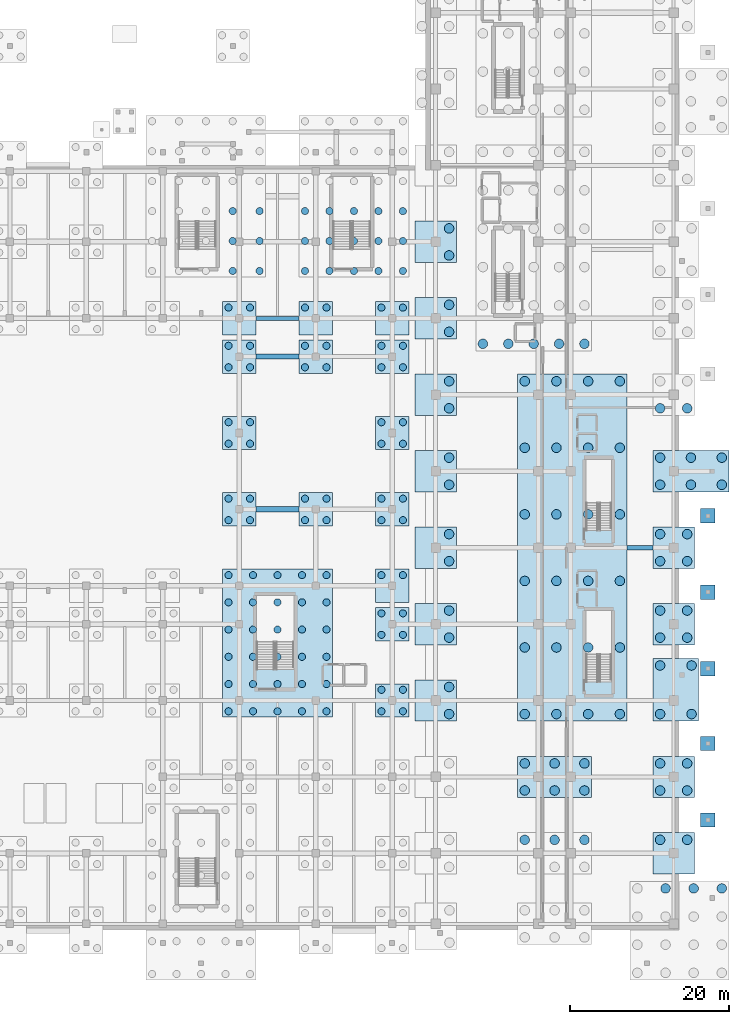
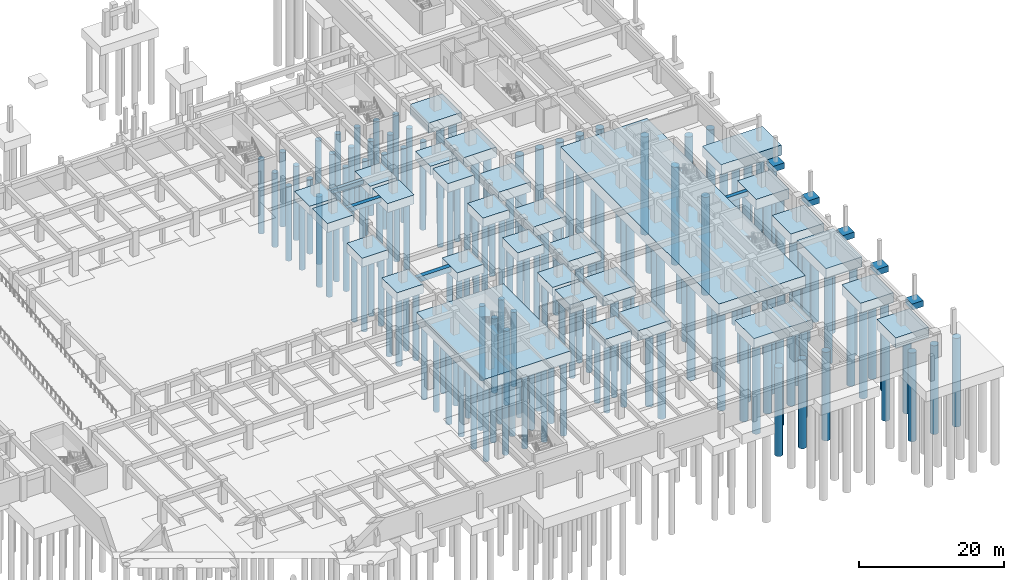
# One storey, part 4 of 39: 180 piles, 39 footings.
"""IFC4 building model written with IfcOpenShell, lengths in metres."""

from ifc_helpers import new_model, si_unit, direction, frame, origin, origin_2d, place, context, subcontext, project, spatial, rectangle, circle, extrude, material, material_profile, profile_set, type_object, element, save


model = new_model("IFC4")

# Units and contexts
model_context = context("Model", 3, precision=1e-05, world=origin(), true_north=direction((0.0, 1.0)))
body_context = subcontext(model_context, "Body", "Model", "MODEL_VIEW")
ifc_project = project(units=[si_unit("LENGTHUNIT", "METRE"), si_unit("AREAUNIT", "SQUARE_METRE"), si_unit("VOLUMEUNIT", "CUBIC_METRE"), si_unit("PLANEANGLEUNIT", "RADIAN"), si_unit("MASSUNIT", "GRAM", prefix="KILO")], contexts=[model_context])

# Site, building, storey
site_placement = place(None, origin())
site = spatial("IfcSite", under=ifc_project, at=site_placement, CompositionType="ELEMENT")
building_placement = place(site_placement, origin())
building = spatial("IfcBuilding", under=site, at=building_placement, Name="Nakhvara Creek Congress Hotel", CompositionType="ELEMENT")
storey_placement = place(building_placement, frame((0.0, 0.0, -8.39990234375)))
storey = spatial("IfcBuildingStorey", under=building, at=storey_placement, Name="B2", CompositionType="ELEMENT", Elevation=-8.39990234375)

# Footings
ifc_material = material(Name="Concrete C40/50", Category="concrete")
footing_type_1 = type_object("IfcFootingType", Name="FT-GB-500X700", PredefinedType="FOOTING_BEAM", material=ifc_material)
footing_1_placement = place(storey_placement, frame((129.60009765625, 76.800048828125, -0.7001953125), z_axis=(0.0, 0.0, 1.0), x_axis=(1.0, 0.0, 0.0)))
element("IfcFooting", 1, at=footing_1_placement, inside=storey, type_object=footing_type_1, Name="Ground Beam GB-046", PredefinedType="FOOTING_BEAM", context=body_context, shape_type="SweptSolid", body=[
    extrude(rectangle(XDim=5.39990234375, YDim=0.5, at=origin_2d()), origin(), (0.0, 0.0, 1.0), 0.699951171875),
])
footing_type_2 = type_object("IfcFootingType", Name="FT-GB-600X800", PredefinedType="FOOTING_BEAM", material=ifc_material)
footing_2_placement = place(storey_placement, frame((175.125, 48.0, -0.80029296875), z_axis=(0.0, 0.0, 1.0), x_axis=(1.0, 0.0, 0.0)))
element("IfcFooting", 2, at=footing_2_placement, inside=storey, type_object=footing_type_2, Name="Ground Beam GB-003", PredefinedType="FOOTING_BEAM", context=body_context, shape_type="SweptSolid", body=[
    extrude(rectangle(XDim=3.25, YDim=0.60009765625, at=origin_2d()), origin(), (0.0, 0.0, 1.0), 0.800048828125),
])
footing_3_placement = place(storey_placement, frame((129.60009765625, 72.0, -0.80029296875), z_axis=(0.0, 0.0, 1.0), x_axis=(1.0, 0.0, 0.0)))
element("IfcFooting", 3, at=footing_3_placement, inside=storey, type_object=footing_type_2, Name="Ground Beam GB-045", PredefinedType="FOOTING_BEAM", context=body_context, shape_type="SweptSolid", body=[
    extrude(rectangle(XDim=5.39990234375, YDim=0.60009765625, at=origin_2d()), origin(), (0.0, 0.0, 1.0), 0.800048828125),
])
footing_type_3 = type_object("IfcFootingType", Name="FT-GB-700X900", PredefinedType="FOOTING_BEAM", material=ifc_material)
footing_4_placement = place(storey_placement, frame((129.60009765625, 52.800048828125, -0.900146484375), z_axis=(0.0, 0.0, 1.0), x_axis=(1.0, 0.0, 0.0)))
element("IfcFooting", 4, at=footing_4_placement, inside=storey, type_object=footing_type_3, Name="Ground Beam GB-044", PredefinedType="FOOTING_BEAM", context=body_context, shape_type="SweptSolid", body=[
    extrude(rectangle(XDim=5.39990234375, YDim=0.699951171875, at=origin_2d()), origin(), (0.0, 0.0, 1.0), 0.89990234375),
])
footing_type_4 = type_object("IfcFootingType", Name="FT-MCAP-1375X4360X200", PredefinedType="PILE_CAP", material=ifc_material)
footing_5_placement = place(storey_placement, frame((166.625, 48.0, -2.0), z_axis=(0.0, 0.0, 1.0), x_axis=(1.0, 0.0, 0.0)))
element("IfcFooting", 5, at=footing_5_placement, inside=storey, type_object=footing_type_4, Name="Pile Cap 003", PredefinedType="PILE_CAP", context=body_context, shape_type="SweptSolid", body=[
    extrude(rectangle(XDim=13.75, YDim=43.60009765625, at=origin_2d()), origin(), (0.0, 0.0, 1.0), 2.0),
])
footing_type_5 = type_object("IfcFootingType", Name="FT-MCAP-1380X1860X185", PredefinedType="PILE_CAP", material=ifc_material)
footing_6_placement = place(storey_placement, frame((129.60009765625, 36.0, -1.85009765625), z_axis=(0.0, 0.0, 1.0), x_axis=(1.0, 0.0, 0.0)))
element("IfcFooting", 6, at=footing_6_placement, inside=storey, type_object=footing_type_5, Name="Pile Cap 005", PredefinedType="PILE_CAP", context=body_context, shape_type="SweptSolid", body=[
    extrude(rectangle(XDim=13.800048828125, YDim=18.60009765625, at=origin_2d()), origin(), (0.0, 0.0, 1.0), 1.85009765625),
])
footing_type_6 = type_object("IfcFootingType", Name="FT-MCAP-420X420X150", PredefinedType="PILE_CAP", material=ifc_material)
for number, where, z_axis, x_axis, name in (
    (7, (124.800048828125, 52.800048828125, -1.5), (0.0, 0.0, 1.0), (1.0, 0.0, 0.0), "Pile Cap 080"),
    (8, (124.800048828125, 62.39990234375, -1.5), (0.0, 0.0, 1.0), (1.0, 0.0, 0.0), "Pile Cap 081"),
    (9, (124.800048828125, 72.0, -1.5), (0.0, 0.0, 1.0), (1.0, 0.0, 0.0), "Pile Cap 082"),
    (10, (124.800048828125, 76.800048828125, -1.5), (0.0, 0.0, 1.0), (1.0, 0.0, 0.0), "Pile Cap 083"),
    (11, (134.39990234375, 52.800048828125, -1.5), (0.0, 0.0, 1.0), (1.0, 0.0, 0.0), "Pile Cap 087"),
    (12, (134.39990234375, 72.0, -1.5), (0.0, 0.0, 1.0), (1.0, 0.0, 0.0), "Pile Cap 088"),
    (13, (134.39990234375, 76.800048828125, -1.5), (0.0, 0.0, 1.0), (1.0, 0.0, 0.0), "Pile Cap 089"),
    (14, (144.0, 28.800048828125, -1.5), (0.0, 0.0, 1.0), (1.0, 0.0, 0.0), "Pile Cap 093"),
    (15, (144.0, 38.39990234375, -1.5), (0.0, 0.0, 1.0), (1.0, 0.0, 0.0), "Pile Cap 094"),
    (16, (144.0, 43.199951171875, -1.5), (0.0, 0.0, 1.0), (1.0, 0.0, 0.0), "Pile Cap 095"),
    (17, (144.0, 52.800048828125, -1.5), (0.0, 0.0, 1.0), (1.0, 0.0, 0.0), "Pile Cap 096"),
    (18, (144.0, 62.39990234375, -1.5), (0.0, 0.0, 1.0), (1.0, 0.0, 0.0), "Pile Cap 097"),
    (19, (144.0, 72.0, -1.5), (0.0, 0.0, 1.0), (1.0, 0.0, 0.0), "Pile Cap 098"),
    (20, (144.0, 76.800048828125, -1.5), (0.0, 0.0, 1.0), (1.0, 0.0, 0.0), "Pile Cap 099"),
):
    element("IfcFooting", number, at=place(storey_placement, frame(where, z_axis=z_axis, x_axis=x_axis)), inside=storey, type_object=footing_type_6, Name=name, PredefinedType="PILE_CAP", context=body_context, shape_type="SweptSolid", body=[
        extrude(rectangle(XDim=4.199951171875, YDim=4.199951171875, at=origin_2d()), origin(), (0.0, 0.0, 1.0), 1.5),
    ])
footing_type_7 = type_object("IfcFootingType", Name="FT-MCAP-520X520X170", PredefinedType="PILE_CAP", material=ifc_material)
for number, where, z_axis, x_axis, name in (
    (21, (149.449951171875, 28.800048828125, -1.7001953125), (0.0, 0.0, 1.0), (1.0, 0.0, 0.0), "Pile Cap 103"),
    (22, (149.449951171875, 38.39990234375, -1.7001953125), (0.0, 0.0, 1.0), (1.0, 0.0, 0.0), "Pile Cap 104"),
    (23, (149.449951171875, 48.0, -1.7001953125), (0.0, 0.0, 1.0), (1.0, 0.0, 0.0), "Pile Cap 105"),
    (24, (149.449951171875, 57.60009765625, -1.7001953125), (0.0, 0.0, 1.0), (1.0, 0.0, 0.0), "Pile Cap 106"),
    (25, (149.449951171875, 67.199951171875, -1.7001953125), (0.0, 0.0, 1.0), (1.0, 0.0, 0.0), "Pile Cap 107"),
    (26, (149.449951171875, 76.800048828125, -1.7001953125), (0.0, 0.0, 1.0), (1.0, 0.0, 0.0), "Pile Cap 108"),
    (27, (149.449951171875, 86.39990234375, -1.7001953125), (0.0, 0.0, 1.0), (1.0, 0.0, 0.0), "Pile Cap 109"),
    (28, (179.35009765625, 9.60009765625, -1.7001953125), (0.0, 0.0, 1.0), (1.0, 0.0, 0.0), "Pile Cap 118"),
    (29, (179.35009765625, 19.199951171875, -1.7001953125), (0.0, 0.0, 1.0), (1.0, 0.0, 0.0), "Pile Cap 119"),
    (30, (179.35009765625, 38.39990234375, -1.7001953125), (0.0, 0.0, 1.0), (1.0, 0.0, 0.0), "Pile Cap 121"),
    (31, (179.35009765625, 48.0, -1.7001953125), (0.0, 0.0, 1.0), (1.0, 0.0, 0.0), "Pile Cap 122"),
):
    element("IfcFooting", number, at=place(storey_placement, frame(where, z_axis=z_axis, x_axis=x_axis)), inside=storey, type_object=footing_type_7, Name=name, PredefinedType="PILE_CAP", context=body_context, shape_type="SweptSolid", body=[
        extrude(rectangle(XDim=5.199951171875, YDim=5.199951171875, at=origin_2d()), origin(), (0.0, 0.0, 1.0), 1.699951171875),
    ])
footing_type_8 = type_object("IfcFootingType", Name="FT-MCAP-575X790X170", PredefinedType="PILE_CAP", material=ifc_material)
footing_7_placement = place(storey_placement, frame((179.625, 30.14990234375, -1.7001953125), z_axis=(0.0, 0.0, 1.0), x_axis=(1.0, 0.0, 0.0)))
element("IfcFooting", 32, at=footing_7_placement, inside=storey, type_object=footing_type_8, Name="Pile Cap 120", PredefinedType="PILE_CAP", context=body_context, shape_type="SweptSolid", body=[
    extrude(rectangle(XDim=5.75, YDim=7.89990234375, at=origin_2d()), origin(), (0.0, 0.0, 1.0), 1.699951171875),
])
footing_type_9 = type_object("IfcFootingType", Name="FT-MCAP-930X520X170", PredefinedType="PILE_CAP", material=ifc_material)
footing_8_placement = place(storey_placement, frame((164.39990234375, 19.199951171875, -1.7001953125), z_axis=(0.0, 0.0, 1.0), x_axis=(1.0, 0.0, 0.0)))
element("IfcFooting", 33, at=footing_8_placement, inside=storey, type_object=footing_type_9, Name="Pile Cap 116", PredefinedType="PILE_CAP", context=body_context, shape_type="SweptSolid", body=[
    extrude(rectangle(XDim=9.300048828125, YDim=5.199951171875, at=origin_2d()), origin(), (0.0, 0.0, 1.0), 1.699951171875),
])
footing_type_10 = type_object("IfcFootingType", Name="FT-MCAP-955X520X170", PredefinedType="PILE_CAP", material=ifc_material)
footing_9_placement = place(storey_placement, frame((181.52490234375, 57.60009765625, -1.7001953125), z_axis=(0.0, 0.0, 1.0), x_axis=(1.0, 0.0, 0.0)))
element("IfcFooting", 34, at=footing_9_placement, inside=storey, type_object=footing_type_10, Name="Pile Cap 123", PredefinedType="PILE_CAP", context=body_context, shape_type="SweptSolid", body=[
    extrude(rectangle(XDim=9.550048828125, YDim=5.199951171875, at=origin_2d()), origin(), (0.0, 0.0, 1.0), 1.699951171875),
])
footing_type_11 = type_object("IfcFootingType", Name="FT-PAD-260X260X100", PredefinedType="PAD_FOOTING", material=ifc_material)
for number, where, z_axis, x_axis, name in (
    (35, (183.64990234375, 13.800048828125, -1.0), (0.0, 0.0, 1.0), (1.0, 0.0, 0.0), "East Boulevard Apron Pad Footing 01"),
    (36, (183.64990234375, 23.39990234375, -1.0), (0.0, 0.0, 1.0), (1.0, 0.0, 0.0), "East Boulevard Apron Pad Footing 02"),
    (37, (183.64990234375, 32.800048828125, -1.0), (0.0, 0.0, 1.0), (1.0, 0.0, 0.0), "East Boulevard Apron Pad Footing 03"),
    (38, (183.64990234375, 42.39990234375, -1.0), (0.0, 0.0, 1.0), (1.0, 0.0, 0.0), "East Boulevard Apron Pad Footing 04"),
    (39, (183.64990234375, 52.0, -1.0), (0.0, 0.0, 1.0), (1.0, 0.0, 0.0), "East Boulevard Apron Pad Footing 05"),
):
    element("IfcFooting", number, at=place(storey_placement, frame(where, z_axis=z_axis, x_axis=x_axis)), inside=storey, type_object=footing_type_11, Name=name, PredefinedType="PAD_FOOTING", context=body_context, shape_type="SweptSolid", body=[
        extrude(rectangle(XDim=1.800048828125, YDim=1.800048828125, at=origin_2d()), origin(), (0.0, 0.0, 1.0), 1.0),
    ])

# Piles
ifc_material_profile_1 = material_profile(ifc_material, circle(Radius=0.60009765625, at=origin_2d()), Name="BORED PILE D1200", Category="LoadBearing")
ifc_profile_set_1 = profile_set([ifc_material_profile_1], Name="Concrete C40/50")
pile_type_1 = type_object("IfcPileType", Name="PILE-BORED-1200", PredefinedType="BORED", material=ifc_profile_set_1)
for number, where, z_axis, x_axis, name in (
    (40, (155.39990234375, 73.60009765625, -1.900146484375), (0.0, 0.0, -1.0), (1.0, 0.0, 0.0), "Bored Pile P-0001"),
    (41, (158.587890625, 73.60009765625, -1.900146484375), (0.0, 0.0, -1.0), (1.0, 0.0, 0.0), "Bored Pile P-0007"),
    (42, (161.77490234375, 73.60009765625, -1.900146484375), (0.0, 0.0, -1.0), (1.0, 0.0, 0.0), "Bored Pile P-0013"),
    (43, (164.962890625, 73.60009765625, -1.900146484375), (0.0, 0.0, -1.0), (1.0, 0.0, 0.0), "Bored Pile P-0019"),
    (44, (168.14990234375, 73.60009765625, -1.900146484375), (0.0, 0.0, -1.0), (1.0, 0.0, 0.0), "Bored Pile P-0025"),
    (45, (160.64990234375, 27.10009765625, -1.900146484375), (0.0, 0.0, -1.0), (1.0, 0.0, 0.0), "Bored Pile P-0061"),
    (46, (160.64990234375, 35.4599609375, -1.900146484375), (0.0, 0.0, -1.0), (1.0, 0.0, 0.0), "Bored Pile P-0062"),
    (47, (160.64990234375, 43.820068359375, -1.900146484375), (0.0, 0.0, -1.0), (1.0, 0.0, 0.0), "Bored Pile P-0063"),
    (48, (160.64990234375, 52.179931640625, -1.900146484375), (0.0, 0.0, -1.0), (1.0, 0.0, 0.0), "Bored Pile P-0064"),
    (49, (160.64990234375, 60.5400390625, -1.900146484375), (0.0, 0.0, -1.0), (1.0, 0.0, 0.0), "Bored Pile P-0065"),
    (50, (160.64990234375, 68.89990234375, -1.900146484375), (0.0, 0.0, -1.0), (1.0, 0.0, 0.0), "Bored Pile P-0066"),
    (51, (164.633056640625, 27.10009765625, -1.900146484375), (0.0, 0.0, -1.0), (1.0, 0.0, 0.0), "Bored Pile P-0067"),
    (52, (164.633056640625, 35.4599609375, -1.900146484375), (0.0, 0.0, -1.0), (1.0, 0.0, 0.0), "Bored Pile P-0068"),
    (53, (164.633056640625, 43.820068359375, -1.900146484375), (0.0, 0.0, -1.0), (1.0, 0.0, 0.0), "Bored Pile P-0069"),
    (54, (164.633056640625, 52.179931640625, -1.900146484375), (0.0, 0.0, -1.0), (1.0, 0.0, 0.0), "Bored Pile P-0070"),
    (55, (164.633056640625, 60.5400390625, -1.900146484375), (0.0, 0.0, -1.0), (1.0, 0.0, 0.0), "Bored Pile P-0071"),
    (56, (164.633056640625, 68.89990234375, -1.900146484375), (0.0, 0.0, -1.0), (1.0, 0.0, 0.0), "Bored Pile P-0072"),
    (57, (168.616943359375, 27.10009765625, -1.900146484375), (0.0, 0.0, -1.0), (1.0, 0.0, 0.0), "Bored Pile P-0073"),
    (58, (168.616943359375, 35.4599609375, -1.900146484375), (0.0, 0.0, -1.0), (1.0, 0.0, 0.0), "Bored Pile P-0074"),
    (59, (168.616943359375, 43.820068359375, -1.900146484375), (0.0, 0.0, -1.0), (1.0, 0.0, 0.0), "Bored Pile P-0075"),
    (60, (168.616943359375, 52.179931640625, -1.900146484375), (0.0, 0.0, -1.0), (1.0, 0.0, 0.0), "Bored Pile P-0076"),
    (61, (168.616943359375, 60.5400390625, -1.900146484375), (0.0, 0.0, -1.0), (1.0, 0.0, 0.0), "Bored Pile P-0077"),
    (62, (168.616943359375, 68.89990234375, -1.900146484375), (0.0, 0.0, -1.0), (1.0, 0.0, 0.0), "Bored Pile P-0078"),
    (63, (172.60009765625, 27.10009765625, -1.900146484375), (0.0, 0.0, -1.0), (1.0, 0.0, 0.0), "Bored Pile P-0079"),
    (64, (172.60009765625, 35.4599609375, -1.900146484375), (0.0, 0.0, -1.0), (1.0, 0.0, 0.0), "Bored Pile P-0080"),
    (65, (172.60009765625, 43.820068359375, -1.900146484375), (0.0, 0.0, -1.0), (1.0, 0.0, 0.0), "Bored Pile P-0081"),
    (66, (172.60009765625, 52.179931640625, -1.900146484375), (0.0, 0.0, -1.0), (1.0, 0.0, 0.0), "Bored Pile P-0082"),
    (67, (172.60009765625, 60.5400390625, -1.900146484375), (0.0, 0.0, -1.0), (1.0, 0.0, 0.0), "Bored Pile P-0083"),
    (68, (172.60009765625, 68.89990234375, -1.900146484375), (0.0, 0.0, -1.0), (1.0, 0.0, 0.0), "Bored Pile P-0084"),
):
    element("IfcPile", number, at=place(storey_placement, frame(where, z_axis=z_axis, x_axis=x_axis)), inside=storey, type_object=pile_type_1, Name=name, PredefinedType="BORED", context=body_context, shape_type="SweptSolid", body=[
        extrude(circle(Radius=0.60009765625, at=origin_2d()), origin(), (0.0, 0.0, 1.0), 16.5),
    ])
for number, where, z_axis, x_axis, name in (
    (69, (151.14990234375, 27.10009765625, -1.60009765625), (0.0, 0.0, -1.0), (1.0, 0.0, 0.0), "Bored Pile P-0671"),
    (70, (151.14990234375, 30.5, -1.60009765625), (0.0, 0.0, -1.0), (1.0, 0.0, 0.0), "Bored Pile P-0672"),
    (71, (151.14990234375, 36.699951171875, -1.60009765625), (0.0, 0.0, -1.0), (1.0, 0.0, 0.0), "Bored Pile P-0673"),
    (72, (151.14990234375, 40.10009765625, -1.60009765625), (0.0, 0.0, -1.0), (1.0, 0.0, 0.0), "Bored Pile P-0674"),
    (73, (151.14990234375, 46.300048828125, -1.60009765625), (0.0, 0.0, -1.0), (1.0, 0.0, 0.0), "Bored Pile P-0675"),
    (74, (151.14990234375, 49.699951171875, -1.60009765625), (0.0, 0.0, -1.0), (1.0, 0.0, 0.0), "Bored Pile P-0676"),
    (75, (151.14990234375, 55.89990234375, -1.60009765625), (0.0, 0.0, -1.0), (1.0, 0.0, 0.0), "Bored Pile P-0677"),
    (76, (151.14990234375, 59.300048828125, -1.60009765625), (0.0, 0.0, -1.0), (1.0, 0.0, 0.0), "Bored Pile P-0678"),
    (77, (151.14990234375, 65.5, -1.60009765625), (0.0, 0.0, -1.0), (1.0, 0.0, 0.0), "Bored Pile P-0679"),
    (78, (151.14990234375, 68.89990234375, -1.60009765625), (0.0, 0.0, -1.0), (1.0, 0.0, 0.0), "Bored Pile P-0680"),
    (79, (151.14990234375, 75.10009765625, -1.60009765625), (0.0, 0.0, -1.0), (1.0, 0.0, 0.0), "Bored Pile P-0681"),
    (80, (151.14990234375, 78.5, -1.60009765625), (0.0, 0.0, -1.0), (1.0, 0.0, 0.0), "Bored Pile P-0682"),
    (81, (151.14990234375, 84.699951171875, -1.60009765625), (0.0, 0.0, -1.0), (1.0, 0.0, 0.0), "Bored Pile P-0683"),
    (82, (151.14990234375, 88.10009765625, -1.60009765625), (0.0, 0.0, -1.0), (1.0, 0.0, 0.0), "Bored Pile P-0684"),
    (83, (160.64990234375, 11.300048828125, -1.60009765625), (0.0, 0.0, -1.0), (1.0, 0.0, 0.0), "Bored Pile P-0706"),
    (84, (164.39990234375, 11.300048828125, -1.60009765625), (0.0, 0.0, -1.0), (1.0, 0.0, 0.0), "Bored Pile P-0708"),
    (85, (168.14990234375, 11.300048828125, -1.60009765625), (0.0, 0.0, -1.0), (1.0, 0.0, 0.0), "Bored Pile P-0710"),
    (86, (160.64990234375, 17.5, -1.60009765625), (0.0, 0.0, -1.0), (1.0, 0.0, 0.0), "Bored Pile P-0711"),
    (87, (160.64990234375, 20.89990234375, -1.60009765625), (0.0, 0.0, -1.0), (1.0, 0.0, 0.0), "Bored Pile P-0712"),
    (88, (164.39990234375, 17.5, -1.60009765625), (0.0, 0.0, -1.0), (1.0, 0.0, 0.0), "Bored Pile P-0713"),
    (89, (164.39990234375, 20.89990234375, -1.60009765625), (0.0, 0.0, -1.0), (1.0, 0.0, 0.0), "Bored Pile P-0714"),
    (90, (168.14990234375, 17.5, -1.60009765625), (0.0, 0.0, -1.0), (1.0, 0.0, 0.0), "Bored Pile P-0715"),
    (91, (168.14990234375, 20.89990234375, -1.60009765625), (0.0, 0.0, -1.0), (1.0, 0.0, 0.0), "Bored Pile P-0716"),
    (92, (178.3330078125, 5.199951171875, -1.60009765625), (0.0, 0.0, -1.0), (1.0, 0.0, 0.0), "Bored Pile P-0724"),
    (93, (181.866943359375, 5.199951171875, -1.60009765625), (0.0, 0.0, -1.0), (1.0, 0.0, 0.0), "Bored Pile P-0728"),
    (94, (185.39990234375, 5.199951171875, -1.60009765625), (0.0, 0.0, -1.0), (1.0, 0.0, 0.0), "Bored Pile P-0732"),
    (95, (177.64990234375, 11.300048828125, -1.60009765625), (0.0, 0.0, -1.0), (1.0, 0.0, 0.0), "Bored Pile P-0733"),
    (96, (181.050048828125, 11.300048828125, -1.60009765625), (0.0, 0.0, -1.0), (1.0, 0.0, 0.0), "Bored Pile P-0734"),
    (97, (177.64990234375, 17.5, -1.60009765625), (0.0, 0.0, -1.0), (1.0, 0.0, 0.0), "Bored Pile P-0735"),
    (98, (177.64990234375, 20.89990234375, -1.60009765625), (0.0, 0.0, -1.0), (1.0, 0.0, 0.0), "Bored Pile P-0736"),
    (99, (181.050048828125, 17.5, -1.60009765625), (0.0, 0.0, -1.0), (1.0, 0.0, 0.0), "Bored Pile P-0737"),
    (100, (181.050048828125, 20.89990234375, -1.60009765625), (0.0, 0.0, -1.0), (1.0, 0.0, 0.0), "Bored Pile P-0738"),
    (101, (177.64990234375, 27.10009765625, -1.60009765625), (0.0, 0.0, -1.0), (1.0, 0.0, 0.0), "Bored Pile P-0739"),
    (102, (177.64990234375, 33.199951171875, -1.60009765625), (0.0, 0.0, -1.0), (1.0, 0.0, 0.0), "Bored Pile P-0740"),
    (103, (181.60009765625, 27.10009765625, -1.60009765625), (0.0, 0.0, -1.0), (1.0, 0.0, 0.0), "Bored Pile P-0741"),
    (104, (181.60009765625, 33.199951171875, -1.60009765625), (0.0, 0.0, -1.0), (1.0, 0.0, 0.0), "Bored Pile P-0742"),
    (105, (177.64990234375, 36.699951171875, -1.60009765625), (0.0, 0.0, -1.0), (1.0, 0.0, 0.0), "Bored Pile P-0743"),
    (106, (177.64990234375, 40.10009765625, -1.60009765625), (0.0, 0.0, -1.0), (1.0, 0.0, 0.0), "Bored Pile P-0744"),
    (107, (181.050048828125, 36.699951171875, -1.60009765625), (0.0, 0.0, -1.0), (1.0, 0.0, 0.0), "Bored Pile P-0745"),
    (108, (181.050048828125, 40.10009765625, -1.60009765625), (0.0, 0.0, -1.0), (1.0, 0.0, 0.0), "Bored Pile P-0746"),
    (109, (177.64990234375, 46.300048828125, -1.60009765625), (0.0, 0.0, -1.0), (1.0, 0.0, 0.0), "Bored Pile P-0747"),
    (110, (177.64990234375, 49.699951171875, -1.60009765625), (0.0, 0.0, -1.0), (1.0, 0.0, 0.0), "Bored Pile P-0748"),
    (111, (181.050048828125, 46.300048828125, -1.60009765625), (0.0, 0.0, -1.0), (1.0, 0.0, 0.0), "Bored Pile P-0749"),
    (112, (181.050048828125, 49.699951171875, -1.60009765625), (0.0, 0.0, -1.0), (1.0, 0.0, 0.0), "Bored Pile P-0750"),
    (113, (177.64990234375, 55.89990234375, -1.60009765625), (0.0, 0.0, -1.0), (1.0, 0.0, 0.0), "Bored Pile P-0751"),
    (114, (177.64990234375, 59.300048828125, -1.60009765625), (0.0, 0.0, -1.0), (1.0, 0.0, 0.0), "Bored Pile P-0752"),
    (115, (181.52490234375, 55.89990234375, -1.60009765625), (0.0, 0.0, -1.0), (1.0, 0.0, 0.0), "Bored Pile P-0753"),
    (116, (181.52490234375, 59.300048828125, -1.60009765625), (0.0, 0.0, -1.0), (1.0, 0.0, 0.0), "Bored Pile P-0754"),
    (117, (185.39990234375, 55.89990234375, -1.60009765625), (0.0, 0.0, -1.0), (1.0, 0.0, 0.0), "Bored Pile P-0755"),
    (118, (185.39990234375, 59.300048828125, -1.60009765625), (0.0, 0.0, -1.0), (1.0, 0.0, 0.0), "Bored Pile P-0756"),
    (119, (177.64990234375, 65.5, -1.60009765625), (0.0, 0.0, -1.0), (1.0, 0.0, 0.0), "Bored Pile P-0757"),
    (120, (181.050048828125, 65.5, -1.60009765625), (0.0, 0.0, -1.0), (1.0, 0.0, 0.0), "Bored Pile P-0759"),
):
    element("IfcPile", number, at=place(storey_placement, frame(where, z_axis=z_axis, x_axis=x_axis)), inside=storey, type_object=pile_type_1, Name=name, PredefinedType="BORED", context=body_context, shape_type="SweptSolid", body=[
        extrude(circle(Radius=0.60009765625, at=origin_2d()), origin(), (0.0, 0.0, 1.0), 14.89990234375),
    ])
ifc_material_profile_2 = material_profile(ifc_material, circle(Radius=0.449951171875, at=origin_2d()), Name="BORED PILE D900", Category="LoadBearing")
ifc_profile_set_2 = profile_set([ifc_material_profile_2], Name="Concrete C40/50")
pile_type_2 = type_object("IfcPileType", Name="PILE-BORED-900", PredefinedType="BORED", material=ifc_profile_set_2)
for number, where, z_axis, x_axis, name in (
    (121, (123.449951171875, 27.449951171875, -1.75), (0.0, 0.0, -1.0), (1.0, 0.0, 0.0), "Bored Pile P-0115"),
    (122, (123.449951171875, 30.8701171875, -1.75), (0.0, 0.0, -1.0), (1.0, 0.0, 0.0), "Bored Pile P-0116"),
    (123, (123.449951171875, 34.2900390625, -1.75), (0.0, 0.0, -1.0), (1.0, 0.0, 0.0), "Bored Pile P-0117"),
    (124, (123.449951171875, 37.7099609375, -1.75), (0.0, 0.0, -1.0), (1.0, 0.0, 0.0), "Bored Pile P-0118"),
    (125, (123.449951171875, 41.1298828125, -1.75), (0.0, 0.0, -1.0), (1.0, 0.0, 0.0), "Bored Pile P-0119"),
    (126, (123.449951171875, 44.550048828125, -1.75), (0.0, 0.0, -1.0), (1.0, 0.0, 0.0), "Bored Pile P-0120"),
    (127, (126.52490234375, 27.449951171875, -1.75), (0.0, 0.0, -1.0), (1.0, 0.0, 0.0), "Bored Pile P-0121"),
    (128, (126.52490234375, 30.8701171875, -1.75), (0.0, 0.0, -1.0), (1.0, 0.0, 0.0), "Bored Pile P-0122"),
    (129, (126.52490234375, 34.2900390625, -1.75), (0.0, 0.0, -1.0), (1.0, 0.0, 0.0), "Bored Pile P-0123"),
    (130, (126.52490234375, 37.7099609375, -1.75), (0.0, 0.0, -1.0), (1.0, 0.0, 0.0), "Bored Pile P-0124"),
    (131, (126.52490234375, 41.1298828125, -1.75), (0.0, 0.0, -1.0), (1.0, 0.0, 0.0), "Bored Pile P-0125"),
    (132, (126.52490234375, 44.550048828125, -1.75), (0.0, 0.0, -1.0), (1.0, 0.0, 0.0), "Bored Pile P-0126"),
    (133, (129.60009765625, 27.449951171875, -1.75), (0.0, 0.0, -1.0), (1.0, 0.0, 0.0), "Bored Pile P-0127"),
    (134, (129.60009765625, 30.8701171875, -1.75), (0.0, 0.0, -1.0), (1.0, 0.0, 0.0), "Bored Pile P-0128"),
    (135, (129.60009765625, 34.2900390625, -1.75), (0.0, 0.0, -1.0), (1.0, 0.0, 0.0), "Bored Pile P-0129"),
    (136, (129.60009765625, 37.7099609375, -1.75), (0.0, 0.0, -1.0), (1.0, 0.0, 0.0), "Bored Pile P-0130"),
    (137, (129.60009765625, 41.1298828125, -1.75), (0.0, 0.0, -1.0), (1.0, 0.0, 0.0), "Bored Pile P-0131"),
    (138, (129.60009765625, 44.550048828125, -1.75), (0.0, 0.0, -1.0), (1.0, 0.0, 0.0), "Bored Pile P-0132"),
    (139, (132.675048828125, 27.449951171875, -1.75), (0.0, 0.0, -1.0), (1.0, 0.0, 0.0), "Bored Pile P-0133"),
    (140, (132.675048828125, 30.8701171875, -1.75), (0.0, 0.0, -1.0), (1.0, 0.0, 0.0), "Bored Pile P-0134"),
    (141, (132.675048828125, 34.2900390625, -1.75), (0.0, 0.0, -1.0), (1.0, 0.0, 0.0), "Bored Pile P-0135"),
    (142, (132.675048828125, 37.7099609375, -1.75), (0.0, 0.0, -1.0), (1.0, 0.0, 0.0), "Bored Pile P-0136"),
    (143, (132.675048828125, 41.1298828125, -1.75), (0.0, 0.0, -1.0), (1.0, 0.0, 0.0), "Bored Pile P-0137"),
    (144, (132.675048828125, 44.550048828125, -1.75), (0.0, 0.0, -1.0), (1.0, 0.0, 0.0), "Bored Pile P-0138"),
    (145, (135.75, 27.449951171875, -1.75), (0.0, 0.0, -1.0), (1.0, 0.0, 0.0), "Bored Pile P-0139"),
    (146, (135.75, 30.8701171875, -1.75), (0.0, 0.0, -1.0), (1.0, 0.0, 0.0), "Bored Pile P-0140"),
    (147, (135.75, 34.2900390625, -1.75), (0.0, 0.0, -1.0), (1.0, 0.0, 0.0), "Bored Pile P-0141"),
    (148, (135.75, 37.7099609375, -1.75), (0.0, 0.0, -1.0), (1.0, 0.0, 0.0), "Bored Pile P-0142"),
    (149, (135.75, 41.1298828125, -1.75), (0.0, 0.0, -1.0), (1.0, 0.0, 0.0), "Bored Pile P-0143"),
    (150, (135.75, 44.550048828125, -1.75), (0.0, 0.0, -1.0), (1.0, 0.0, 0.0), "Bored Pile P-0144"),
    (151, (123.97509765625, 82.75, -1.75), (0.0, 0.0, -1.0), (1.0, 0.0, 0.0), "Bored Pile P-0223"),
    (152, (123.97509765625, 86.510009765625, -1.75), (0.0, 0.0, -1.0), (1.0, 0.0, 0.0), "Bored Pile P-0224"),
    (153, (123.97509765625, 90.27001953125, -1.75), (0.0, 0.0, -1.0), (1.0, 0.0, 0.0), "Bored Pile P-0225"),
    (154, (127.35009765625, 82.75, -1.75), (0.0, 0.0, -1.0), (1.0, 0.0, 0.0), "Bored Pile P-0229"),
    (155, (127.35009765625, 86.510009765625, -1.75), (0.0, 0.0, -1.0), (1.0, 0.0, 0.0), "Bored Pile P-0230"),
    (156, (127.35009765625, 90.27001953125, -1.75), (0.0, 0.0, -1.0), (1.0, 0.0, 0.0), "Bored Pile P-0231"),
    (157, (133.050048828125, 82.75, -1.75), (0.0, 0.0, -1.0), (1.0, 0.0, 0.0), "Bored Pile P-0235"),
    (158, (133.050048828125, 86.510009765625, -1.75), (0.0, 0.0, -1.0), (1.0, 0.0, 0.0), "Bored Pile P-0236"),
    (159, (133.050048828125, 90.27001953125, -1.75), (0.0, 0.0, -1.0), (1.0, 0.0, 0.0), "Bored Pile P-0237"),
    (160, (136.125, 82.75, -1.75), (0.0, 0.0, -1.0), (1.0, 0.0, 0.0), "Bored Pile P-0241"),
    (161, (136.125, 86.510009765625, -1.75), (0.0, 0.0, -1.0), (1.0, 0.0, 0.0), "Bored Pile P-0242"),
    (162, (136.125, 90.27001953125, -1.75), (0.0, 0.0, -1.0), (1.0, 0.0, 0.0), "Bored Pile P-0243"),
    (163, (139.199951171875, 82.75, -1.75), (0.0, 0.0, -1.0), (1.0, 0.0, 0.0), "Bored Pile P-0247"),
    (164, (139.199951171875, 86.510009765625, -1.75), (0.0, 0.0, -1.0), (1.0, 0.0, 0.0), "Bored Pile P-0248"),
    (165, (139.199951171875, 90.27001953125, -1.75), (0.0, 0.0, -1.0), (1.0, 0.0, 0.0), "Bored Pile P-0249"),
    (166, (142.27490234375, 82.75, -1.75), (0.0, 0.0, -1.0), (1.0, 0.0, 0.0), "Bored Pile P-0253"),
    (167, (142.27490234375, 86.510009765625, -1.75), (0.0, 0.0, -1.0), (1.0, 0.0, 0.0), "Bored Pile P-0254"),
    (168, (142.27490234375, 90.27001953125, -1.75), (0.0, 0.0, -1.0), (1.0, 0.0, 0.0), "Bored Pile P-0255"),
    (169, (145.35009765625, 82.75, -1.75), (0.0, 0.0, -1.0), (1.0, 0.0, 0.0), "Bored Pile P-0259"),
    (170, (145.35009765625, 86.510009765625, -1.75), (0.0, 0.0, -1.0), (1.0, 0.0, 0.0), "Bored Pile P-0260"),
    (171, (145.35009765625, 90.27001953125, -1.75), (0.0, 0.0, -1.0), (1.0, 0.0, 0.0), "Bored Pile P-0261"),
):
    element("IfcPile", number, at=place(storey_placement, frame(where, z_axis=z_axis, x_axis=x_axis)), inside=storey, type_object=pile_type_2, Name=name, PredefinedType="BORED", context=body_context, shape_type="SweptSolid", body=[
        extrude(circle(Radius=0.449951171875, at=origin_2d()), origin(), (0.0, 0.0, 1.0), 12.5),
    ])
for number, where, z_axis, x_axis, name in (
    (172, (123.449951171875, 51.449951171875, -1.400146484375), (0.0, 0.0, -1.0), (1.0, 0.0, 0.0), "Bored Pile P-0593"),
    (173, (123.449951171875, 54.14990234375, -1.400146484375), (0.0, 0.0, -1.0), (1.0, 0.0, 0.0), "Bored Pile P-0594"),
    (174, (126.14990234375, 51.449951171875, -1.400146484375), (0.0, 0.0, -1.0), (1.0, 0.0, 0.0), "Bored Pile P-0595"),
    (175, (126.14990234375, 54.14990234375, -1.400146484375), (0.0, 0.0, -1.0), (1.0, 0.0, 0.0), "Bored Pile P-0596"),
    (176, (123.449951171875, 61.050048828125, -1.400146484375), (0.0, 0.0, -1.0), (1.0, 0.0, 0.0), "Bored Pile P-0597"),
    (177, (123.449951171875, 63.75, -1.400146484375), (0.0, 0.0, -1.0), (1.0, 0.0, 0.0), "Bored Pile P-0598"),
    (178, (126.14990234375, 61.050048828125, -1.400146484375), (0.0, 0.0, -1.0), (1.0, 0.0, 0.0), "Bored Pile P-0599"),
    (179, (126.14990234375, 63.75, -1.400146484375), (0.0, 0.0, -1.0), (1.0, 0.0, 0.0), "Bored Pile P-0600"),
    (180, (123.449951171875, 70.64990234375, -1.400146484375), (0.0, 0.0, -1.0), (1.0, 0.0, 0.0), "Bored Pile P-0601"),
    (181, (123.449951171875, 73.35009765625, -1.400146484375), (0.0, 0.0, -1.0), (1.0, 0.0, 0.0), "Bored Pile P-0602"),
    (182, (126.14990234375, 70.64990234375, -1.400146484375), (0.0, 0.0, -1.0), (1.0, 0.0, 0.0), "Bored Pile P-0603"),
    (183, (126.14990234375, 73.35009765625, -1.400146484375), (0.0, 0.0, -1.0), (1.0, 0.0, 0.0), "Bored Pile P-0604"),
    (184, (123.449951171875, 78.14990234375, -1.400146484375), (0.0, 0.0, -1.0), (1.0, 0.0, 0.0), "Bored Pile P-0605"),
    (185, (126.14990234375, 78.14990234375, -1.400146484375), (0.0, 0.0, -1.0), (1.0, 0.0, 0.0), "Bored Pile P-0606"),
    (186, (133.050048828125, 51.449951171875, -1.400146484375), (0.0, 0.0, -1.0), (1.0, 0.0, 0.0), "Bored Pile P-0619"),
    (187, (133.050048828125, 54.14990234375, -1.400146484375), (0.0, 0.0, -1.0), (1.0, 0.0, 0.0), "Bored Pile P-0620"),
    (188, (135.75, 51.449951171875, -1.400146484375), (0.0, 0.0, -1.0), (1.0, 0.0, 0.0), "Bored Pile P-0621"),
    (189, (135.75, 54.14990234375, -1.400146484375), (0.0, 0.0, -1.0), (1.0, 0.0, 0.0), "Bored Pile P-0622"),
    (190, (133.050048828125, 70.64990234375, -1.400146484375), (0.0, 0.0, -1.0), (1.0, 0.0, 0.0), "Bored Pile P-0623"),
    (191, (133.050048828125, 73.35009765625, -1.400146484375), (0.0, 0.0, -1.0), (1.0, 0.0, 0.0), "Bored Pile P-0624"),
    (192, (135.75, 70.64990234375, -1.400146484375), (0.0, 0.0, -1.0), (1.0, 0.0, 0.0), "Bored Pile P-0625"),
    (193, (135.75, 73.35009765625, -1.400146484375), (0.0, 0.0, -1.0), (1.0, 0.0, 0.0), "Bored Pile P-0626"),
    (194, (133.050048828125, 78.14990234375, -1.400146484375), (0.0, 0.0, -1.0), (1.0, 0.0, 0.0), "Bored Pile P-0627"),
    (195, (135.75, 78.14990234375, -1.400146484375), (0.0, 0.0, -1.0), (1.0, 0.0, 0.0), "Bored Pile P-0628"),
    (196, (142.64990234375, 27.449951171875, -1.400146484375), (0.0, 0.0, -1.0), (1.0, 0.0, 0.0), "Bored Pile P-0641"),
    (197, (142.64990234375, 30.14990234375, -1.400146484375), (0.0, 0.0, -1.0), (1.0, 0.0, 0.0), "Bored Pile P-0642"),
    (198, (145.35009765625, 27.449951171875, -1.400146484375), (0.0, 0.0, -1.0), (1.0, 0.0, 0.0), "Bored Pile P-0643"),
    (199, (145.35009765625, 30.14990234375, -1.400146484375), (0.0, 0.0, -1.0), (1.0, 0.0, 0.0), "Bored Pile P-0644"),
    (200, (142.64990234375, 37.050048828125, -1.400146484375), (0.0, 0.0, -1.0), (1.0, 0.0, 0.0), "Bored Pile P-0645"),
    (201, (142.64990234375, 39.75, -1.400146484375), (0.0, 0.0, -1.0), (1.0, 0.0, 0.0), "Bored Pile P-0646"),
    (202, (145.35009765625, 37.050048828125, -1.400146484375), (0.0, 0.0, -1.0), (1.0, 0.0, 0.0), "Bored Pile P-0647"),
    (203, (145.35009765625, 39.75, -1.400146484375), (0.0, 0.0, -1.0), (1.0, 0.0, 0.0), "Bored Pile P-0648"),
    (204, (142.64990234375, 44.550048828125, -1.400146484375), (0.0, 0.0, -1.0), (1.0, 0.0, 0.0), "Bored Pile P-0649"),
    (205, (145.35009765625, 44.550048828125, -1.400146484375), (0.0, 0.0, -1.0), (1.0, 0.0, 0.0), "Bored Pile P-0650"),
    (206, (142.64990234375, 51.449951171875, -1.400146484375), (0.0, 0.0, -1.0), (1.0, 0.0, 0.0), "Bored Pile P-0651"),
    (207, (142.64990234375, 54.14990234375, -1.400146484375), (0.0, 0.0, -1.0), (1.0, 0.0, 0.0), "Bored Pile P-0652"),
    (208, (145.35009765625, 51.449951171875, -1.400146484375), (0.0, 0.0, -1.0), (1.0, 0.0, 0.0), "Bored Pile P-0653"),
    (209, (145.35009765625, 54.14990234375, -1.400146484375), (0.0, 0.0, -1.0), (1.0, 0.0, 0.0), "Bored Pile P-0654"),
    (210, (142.64990234375, 61.050048828125, -1.400146484375), (0.0, 0.0, -1.0), (1.0, 0.0, 0.0), "Bored Pile P-0655"),
    (211, (142.64990234375, 63.75, -1.400146484375), (0.0, 0.0, -1.0), (1.0, 0.0, 0.0), "Bored Pile P-0656"),
    (212, (145.35009765625, 61.050048828125, -1.400146484375), (0.0, 0.0, -1.0), (1.0, 0.0, 0.0), "Bored Pile P-0657"),
    (213, (145.35009765625, 63.75, -1.400146484375), (0.0, 0.0, -1.0), (1.0, 0.0, 0.0), "Bored Pile P-0658"),
    (214, (142.64990234375, 70.64990234375, -1.400146484375), (0.0, 0.0, -1.0), (1.0, 0.0, 0.0), "Bored Pile P-0659"),
    (215, (142.64990234375, 73.35009765625, -1.400146484375), (0.0, 0.0, -1.0), (1.0, 0.0, 0.0), "Bored Pile P-0660"),
    (216, (145.35009765625, 70.64990234375, -1.400146484375), (0.0, 0.0, -1.0), (1.0, 0.0, 0.0), "Bored Pile P-0661"),
    (217, (145.35009765625, 73.35009765625, -1.400146484375), (0.0, 0.0, -1.0), (1.0, 0.0, 0.0), "Bored Pile P-0662"),
    (218, (142.64990234375, 78.14990234375, -1.400146484375), (0.0, 0.0, -1.0), (1.0, 0.0, 0.0), "Bored Pile P-0663"),
    (219, (145.35009765625, 78.14990234375, -1.400146484375), (0.0, 0.0, -1.0), (1.0, 0.0, 0.0), "Bored Pile P-0664"),
):
    element("IfcPile", number, at=place(storey_placement, frame(where, z_axis=z_axis, x_axis=x_axis)), inside=storey, type_object=pile_type_2, Name=name, PredefinedType="BORED", context=body_context, shape_type="SweptSolid", body=[
        extrude(circle(Radius=0.449951171875, at=origin_2d()), origin(), (0.0, 0.0, 1.0), 11.39990234375),
    ])

save(model, "model.ifc")
